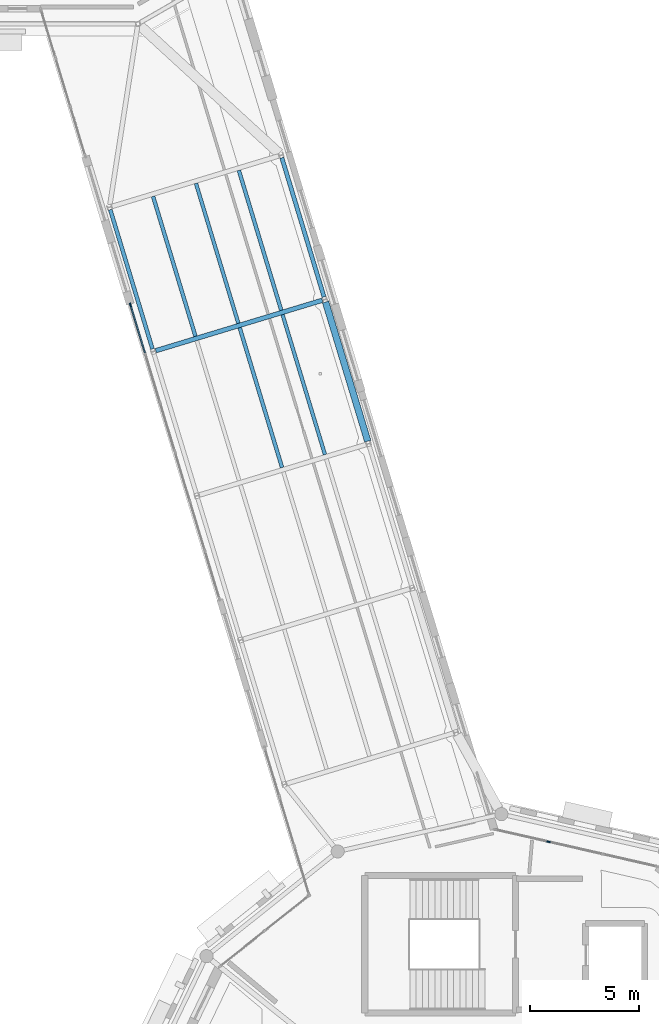
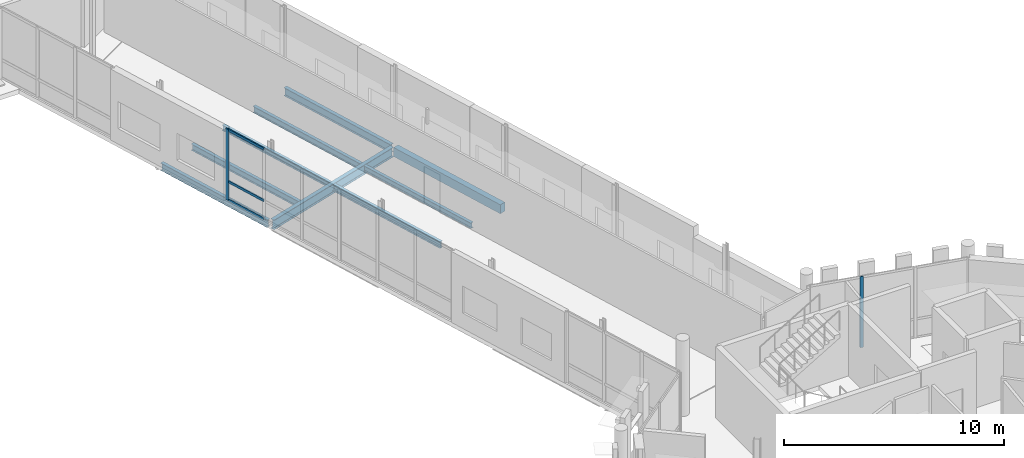
# One storey, part 31 of 125: 9 beams, 5 members, 2 elements without a shape of their own.
"""IFC4 building model written with IfcOpenShell, lengths in metres."""

from ifc_helpers import new_model, si_unit, direction, frame, origin, origin_2d, place, context, subcontext, project, spatial, rectangle, i_section, extrude, material, material_profile, profile_set, type_object, element, aggregate, save


model = new_model("IFC4")

# Units and contexts
model_context = context("Model", 3, precision=1e-05, world=origin(), true_north=direction((0.0, 1.0)))
body_context = subcontext(model_context, "Body", "Model", "MODEL_VIEW")
ifc_project = project(units=[si_unit("LENGTHUNIT", "METRE"), si_unit("AREAUNIT", "SQUARE_METRE"), si_unit("VOLUMEUNIT", "CUBIC_METRE"), si_unit("PLANEANGLEUNIT", "RADIAN"), si_unit("MASSUNIT", "GRAM", prefix="KILO")], contexts=[model_context])

# Site, building, storey
site_placement = place(None, origin())
site = spatial("IfcSite", under=ifc_project, at=site_placement, CompositionType="ELEMENT")
building_placement = place(site_placement, origin())
building = spatial("IfcBuilding", under=site, at=building_placement, Name="Wrenclough Park School", CompositionType="ELEMENT")
storey_placement = place(building_placement, frame((0.0, 0.0, 4.199951171875)))
storey = spatial("IfcBuildingStorey", under=building, at=storey_placement, Name="L01", CompositionType="ELEMENT", Elevation=4.199951171875)

# Curtain wall, member
ifc_material_1 = material(Name="Thermally broken aluminium and low-e glass curtain wall", Category="aluminium")
curtain_wall_type_1 = type_object("IfcCurtainWallType", Name="ENV-CW-14", PredefinedType="USERDEFINED", material=ifc_material_1)
curtain_wall_1_placement = place(storey_placement, origin())
curtain_wall_1 = element("IfcCurtainWall", 1, at=curtain_wall_1_placement, inside=storey, type_object=curtain_wall_type_1, Name="L01 recessed curtain wall assembly 141", ObjectType="CURTAIN WALL", PredefinedType="USERDEFINED")
ifc_material_2 = material(Name="Thermally broken anodised aluminium", Category="aluminium")
ifc_material_profile_1 = material_profile(ifc_material_2, rectangle(XDim=0.06005859375, YDim=0.159912109375, at=origin_2d()), Name="AL MULLION 60x160")
ifc_profile_set_1 = profile_set([ifc_material_profile_1], Name="Thermally broken anodised aluminium")
member_type_1 = type_object("IfcMemberType", Name="ENV-CWM-1", PredefinedType="MULLION", material=ifc_profile_set_1)
member_1_placement = place(storey_placement, frame((38.6611328125, 39.483642578125, 0.0), z_axis=(0.0, 0.0, 1.0), x_axis=(0.222516036679, 0.97492902994, 0.0)))
member_1 = element("IfcMember", 2, at=member_1_placement, type_object=member_type_1, Name="CW-14 mullion 2", PredefinedType="MULLION", context=body_context, shape_type="SweptSolid", body=[
    extrude(rectangle(XDim=0.06005859375, YDim=0.159912109375, at=origin_2d()), origin(), (0.0, 0.0, 1.0), 3.93994140625),
])
aggregate(curtain_wall_1, [member_1])

# Curtain wall, members
curtain_wall_type_2 = type_object("IfcCurtainWallType", Name="ENV-CW-12", PredefinedType="USERDEFINED", material=ifc_material_1)
curtain_wall_2_placement = place(storey_placement, origin())
curtain_wall_2 = element("IfcCurtainWall", 3, at=curtain_wall_2_placement, inside=storey, type_object=curtain_wall_type_2, Name="L01 recessed curtain wall assembly 091", ObjectType="CURTAIN WALL", PredefinedType="USERDEFINED")
ifc_material_profile_2 = material_profile(ifc_material_2, rectangle(XDim=0.06494140625, YDim=0.179931640625, at=origin_2d()), Name="AL MULLION 65x180")
ifc_profile_set_2 = profile_set([ifc_material_profile_2], Name="Thermally broken anodised aluminium")
member_type_2 = type_object("IfcMemberType", Name="ENV-CWM-2", PredefinedType="MULLION", material=ifc_profile_set_2)
member_2_placement = place(storey_placement, frame((19.53369140625, 64.04150390625, 0.0), z_axis=(0.0, 0.0, 1.0), x_axis=(-0.957030246116, -0.289988117032, 0.0)))
member_2 = element("IfcMember", 4, at=member_2_placement, type_object=member_type_2, Name="CW-12 mullion 4", PredefinedType="MULLION", context=body_context, shape_type="SweptSolid", body=[
    extrude(rectangle(XDim=0.06494140625, YDim=0.179931640625, at=origin_2d()), origin(), (0.0, 0.0, 1.0), 3.93994140625),
])
ifc_material_profile_3 = material_profile(ifc_material_2, rectangle(XDim=0.06494140625, YDim=0.139892578125, at=origin_2d()), Name="AL TRANSOM 65x140")
ifc_profile_set_3 = profile_set([ifc_material_profile_3], Name="Thermally broken anodised aluminium")
member_type_3 = type_object("IfcMemberType", Name="ENV-CWT-2", PredefinedType="USERDEFINED", material=ifc_profile_set_3)
member_3_placement = place(storey_placement, frame((20.19677734375, 61.853271484375, 0.032470703125), z_axis=(-0.290049479451, 0.957011650645, 0.0), x_axis=(-0.957011650645, -0.290049479451, 0.0)))
member_3 = element("IfcMember", 5, at=member_3_placement, type_object=member_type_3, Name="CW-12 transom 3.1", ObjectType="TRANSOM", PredefinedType="USERDEFINED", context=body_context, shape_type="SweptSolid", body=[
    extrude(rectangle(XDim=0.06494140625, YDim=0.139892578125, at=origin_2d()), origin(), (0.0, 0.0, 1.0), 2.254150390625),
])
member_4_placement = place(storey_placement, frame((20.19677734375, 61.853271484375, 1.050048828125), z_axis=(-0.290049479451, 0.957011650645, 0.0), x_axis=(-0.957011650645, -0.290049479451, 0.0)))
member_4 = element("IfcMember", 6, at=member_4_placement, type_object=member_type_3, Name="CW-12 transom 3.2", ObjectType="TRANSOM", PredefinedType="USERDEFINED", context=body_context, shape_type="SweptSolid", body=[
    extrude(rectangle(XDim=0.06494140625, YDim=0.139892578125, at=origin_2d()), origin(), (0.0, 0.0, 1.0), 2.254150390625),
])
member_5_placement = place(storey_placement, frame((20.19677734375, 61.853271484375, 3.907470703125), z_axis=(-0.290049479451, 0.957011650645, 0.0), x_axis=(-0.957011650645, -0.290049479451, 0.0)))
member_5 = element("IfcMember", 7, at=member_5_placement, type_object=member_type_3, Name="CW-12 transom 3.3", ObjectType="TRANSOM", PredefinedType="USERDEFINED", context=body_context, shape_type="SweptSolid", body=[
    extrude(rectangle(XDim=0.06494140625, YDim=0.139892578125, at=origin_2d()), origin(), (0.0, 0.0, 1.0), 2.254150390625),
])
aggregate(curtain_wall_2, [member_2, member_3, member_4, member_5])

# Beams
ifc_material_3 = material(Name="Concrete C32/40", Category="concrete")
ifc_material_profile_4 = material_profile(ifc_material_3, rectangle(XDim=0.300048828125, YDim=0.5, at=origin_2d()), Name="RC BEAM 300x500")
ifc_profile_set_4 = profile_set([ifc_material_profile_4], Name="Concrete C32/40")
beam_type_1 = type_object("IfcBeamType", Name="STR-BM-RC300", PredefinedType="BEAM", material=ifc_profile_set_4)
beam_1_placement = place(storey_placement, frame((30.388427734375, 57.805908203125, -0.489990234375), z_axis=(-0.290013507012, 0.957022552373, 0.0), x_axis=(-0.957022552373, -0.290013507012, 0.0)))
element("IfcBeam", 8, at=beam_1_placement, inside=storey, type_object=beam_type_1, Name="W23 L01 longitudinal edge beam R3", PredefinedType="BEAM", context=body_context, shape_type="SweptSolid", body=[
    extrude(rectangle(XDim=0.300048828125, YDim=0.5, at=origin_2d()), origin(), (0.0, 0.0, 1.0), 6.652099609375),
])
ifc_material_4 = material(Name="Structural steel S355", Category="steel")
ifc_material_profile_5 = material_profile(ifc_material_4, i_section(OverallWidth=0.1650390625, OverallDepth=0.303466796875, WebThickness=0.006103515625, FlangeThickness=0.01025390625, FilletRadius=0.0087890625, at=origin_2d()), Name="UKB 305x165x40")
ifc_profile_set_5 = profile_set([ifc_material_profile_5], Name="Structural steel S355")
beam_type_2 = type_object("IfcBeamType", Name="STR-BM-UKB305", PredefinedType="JOIST", material=ifc_profile_set_5)
for number, where, z_axis, x_axis, name in (
    (9, (28.431640625, 57.194580078125, -0.3916015625), (-0.290029687664, 0.957017648883, 0.0), (-0.957017648883, -0.290029687664, 0.0), "W23 L01 secondary floor joist 0033"),
    (10, (24.4697265625, 63.2001953125, -0.3916015625), (-0.290029687664, 0.957017648883, 0.0), (-0.957017648883, -0.290029687664, 0.0), "W23 L01 secondary floor joist 0035"),
):
    element("IfcBeam", number, at=place(storey_placement, frame(where, z_axis=z_axis, x_axis=x_axis)), inside=storey, type_object=beam_type_2, Name=name, PredefinedType="JOIST", context=body_context, shape_type="SweptSolid", body=[
        extrude(i_section(OverallWidth=0.1650390625, OverallDepth=0.303466796875, WebThickness=0.006103515625, FlangeThickness=0.01025390625, FilletRadius=0.0087890625, at=origin_2d()), origin(), (0.0, 0.0, 1.0), 6.68701171875),
    ])
ifc_material_profile_6 = material_profile(ifc_material_4, i_section(OverallWidth=0.17138671875, OverallDepth=0.35498046875, WebThickness=0.00732421875, FlangeThickness=0.011474609375, FilletRadius=0.01025390625, at=origin_2d()), Name="UKB 356x171x51")
ifc_profile_set_6 = profile_set([ifc_material_profile_6], Name="Structural steel S355")
beam_type_3 = type_object("IfcBeamType", Name="STR-BM-UKB356", PredefinedType="JOIST", material=ifc_profile_set_6)
for number, where, z_axis, x_axis, name in (
    (11, (26.4697265625, 56.60009765625, -0.41748046875), (-0.290029687664, 0.957017648883, 0.0), (-0.957017648883, -0.290029687664, 0.0), "W23 L01 secondary floor joist 0032"),
    (12, (22.5078125, 62.605712890625, -0.41748046875), (-0.290029687664, 0.957017648883, 0.0), (-0.957017648883, -0.290029687664, 0.0), "W23 L01 secondary floor joist 0034"),
    (13, (26.431640625, 63.794677734375, -0.41748046875), (-0.290029687664, 0.957017648883, 0.0), (-0.957017648883, -0.290029687664, 0.0), "W23 L01 secondary floor joist 0036"),
):
    element("IfcBeam", number, at=place(storey_placement, frame(where, z_axis=z_axis, x_axis=x_axis)), inside=storey, type_object=beam_type_3, Name=name, PredefinedType="JOIST", context=body_context, shape_type="SweptSolid", body=[
        extrude(i_section(OverallWidth=0.17138671875, OverallDepth=0.35498046875, WebThickness=0.00732421875, FlangeThickness=0.011474609375, FilletRadius=0.01025390625, at=origin_2d()), origin(), (0.0, 0.0, 1.0), 6.68701171875),
    ])
ifc_material_profile_7 = material_profile(ifc_material_4, i_section(OverallWidth=0.177978515625, OverallDepth=0.406494140625, WebThickness=0.0078125, FlangeThickness=0.0126953125, FilletRadius=0.01025390625, at=origin_2d()), Name="UKB 406x178x60")
ifc_profile_set_7 = profile_set([ifc_material_profile_7], Name="Structural steel S355")
beam_type_4 = type_object("IfcBeamType", Name="STR-BM-UKB406", PredefinedType="BEAM", material=ifc_profile_set_7)
beam_2_placement = place(storey_placement, frame((20.540771484375, 62.028076171875, -0.443115234375), z_axis=(-0.290023693774, 0.957019465345, 0.0), x_axis=(-0.957019465345, -0.290023693774, 0.0)))
element("IfcBeam", 14, at=beam_2_placement, inside=storey, type_object=beam_type_4, Name="W23 L01 longitudinal edge beam L4", PredefinedType="BEAM", context=body_context, shape_type="SweptSolid", body=[
    extrude(i_section(OverallWidth=0.177978515625, OverallDepth=0.406494140625, WebThickness=0.0078125, FlangeThickness=0.0126953125, FilletRadius=0.01025390625, at=origin_2d()), origin(), (0.0, 0.0, 1.0), 6.65185546875),
])
ifc_material_profile_8 = material_profile(ifc_material_4, i_section(OverallWidth=0.18994140625, OverallDepth=0.453369140625, WebThickness=0.008544921875, FlangeThickness=0.0126953125, FilletRadius=0.01025390625, at=origin_2d()), Name="UKB 457x191x67")
ifc_profile_set_8 = profile_set([ifc_material_profile_8], Name="Structural steel S355")
beam_type_5 = type_object("IfcBeamType", Name="STR-BM-UKB457A", PredefinedType="BEAM", material=ifc_profile_set_8)
beam_3_placement = place(storey_placement, frame((28.388427734375, 64.406005859375, -0.466552734375), z_axis=(-0.290023693774, 0.957019465345, 0.0), x_axis=(-0.957019465345, -0.290023693774, 0.0)))
element("IfcBeam", 15, at=beam_3_placement, inside=storey, type_object=beam_type_5, Name="W23 L01 longitudinal edge beam R4", PredefinedType="BEAM", context=body_context, shape_type="SweptSolid", body=[
    extrude(i_section(OverallWidth=0.18994140625, OverallDepth=0.453369140625, WebThickness=0.008544921875, FlangeThickness=0.0126953125, FilletRadius=0.01025390625, at=origin_2d()), origin(), (0.0, 0.0, 1.0), 6.65185546875),
])
ifc_material_profile_9 = material_profile(ifc_material_4, i_section(OverallWidth=0.209228515625, OverallDepth=0.533203125, WebThickness=0.010009765625, FlangeThickness=0.015625, FilletRadius=0.0126953125, at=origin_2d()), Name="UKB 533x210x92")
ifc_profile_set_9 = profile_set([ifc_material_profile_9], Name="Structural steel S355")
beam_type_6 = type_object("IfcBeamType", Name="STR-BM-UKB533A", PredefinedType="BEAM", material=ifc_profile_set_9)
beam_4_placement = place(storey_placement, frame((20.693115234375, 61.9462890625, -0.506591796875), z_axis=(0.957018468059, 0.290026984596, 0.0), x_axis=(-0.290026984596, 0.957018468059, 0.0)))
element("IfcBeam", 16, at=beam_4_placement, inside=storey, type_object=beam_type_6, Name="W23 L01 transverse floor beam 4", PredefinedType="BEAM", context=body_context, shape_type="SweptSolid", body=[
    extrude(i_section(OverallWidth=0.209228515625, OverallDepth=0.533203125, WebThickness=0.010009765625, FlangeThickness=0.015625, FilletRadius=0.0126953125, at=origin_2d()), origin(), (0.0, 0.0, 1.0), 7.955810546875),
])

save(model, "model.ifc")
